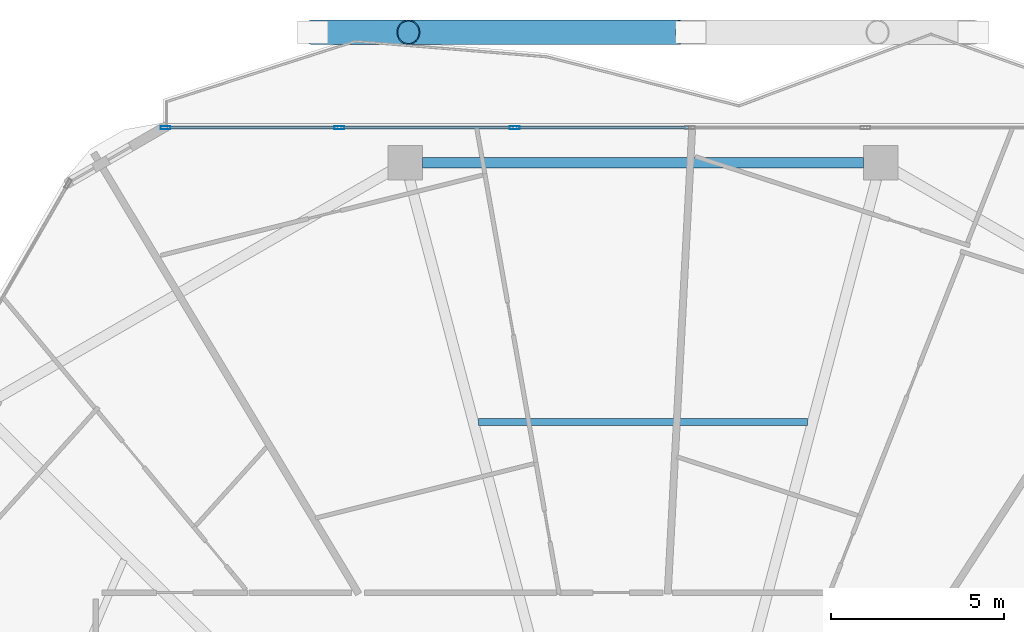
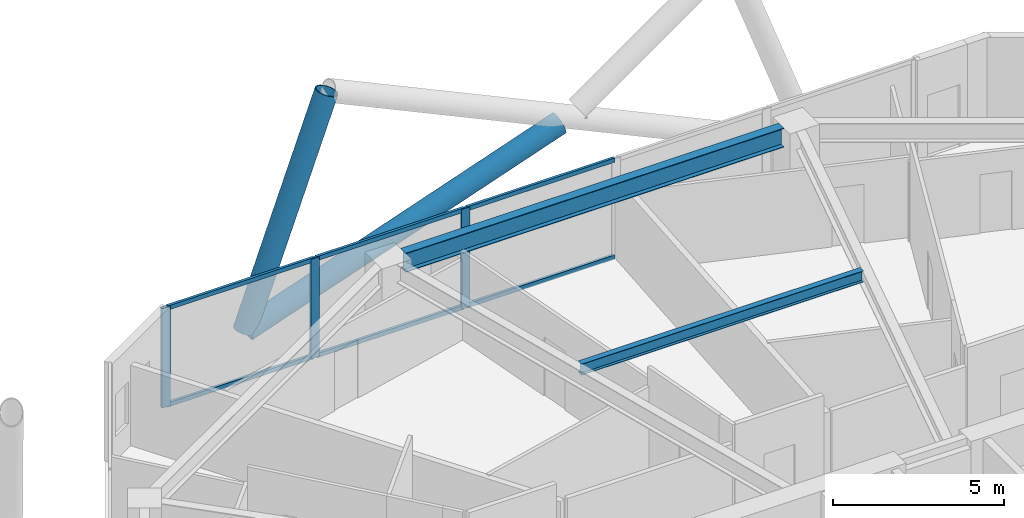
# One storey, part 14 of 29: 11 members, 2 beams, 1 element without a shape of its own.
"""IFC4 building model written with IfcOpenShell, lengths in metres."""

from ifc_helpers import new_model, si_unit, direction, frame, origin, origin_2d, place, context, subcontext, project, spatial, hollow_rectangle, hollow_circle, i_section, extrude, material, material_profile, profile_set, type_object, element, aggregate, save


model = new_model("IFC4")

# Units and contexts
model_context = context("Model", 3, precision=1e-05, world=origin(), true_north=direction((0.0, 1.0)))
body_context = subcontext(model_context, "Body", "Model", "MODEL_VIEW")
ifc_project = project(units=[si_unit("LENGTHUNIT", "METRE"), si_unit("AREAUNIT", "SQUARE_METRE"), si_unit("VOLUMEUNIT", "CUBIC_METRE"), si_unit("PLANEANGLEUNIT", "RADIAN"), si_unit("MASSUNIT", "GRAM", prefix="KILO")], contexts=[model_context])

# Site, building, storey
site_placement = place(None, origin())
site = spatial("IfcSite", under=ifc_project, at=site_placement, CompositionType="ELEMENT")
building_placement = place(site_placement, origin())
building = spatial("IfcBuilding", under=site, at=building_placement, Name="Zuhravey Tower", CompositionType="ELEMENT")
storey_placement = place(building_placement, frame((0.0, 0.0, 161.800048828125)))
storey = spatial("IfcBuildingStorey", under=building, at=storey_placement, Name="L40", CompositionType="ELEMENT", Elevation=161.800048828125)

# Curtain wall, members
ifc_material_1 = material(Name="Thermally broken anodised aluminium", Category="aluminium")
curtain_wall_type = type_object("IfcCurtainWallType", Name="Zone 1-2 Residential Curtain Wall CW3", PredefinedType="NOTDEFINED", material=ifc_material_1)
curtain_wall_placement = place(storey_placement, origin())
curtain_wall = element("IfcCurtainWall", 1, at=curtain_wall_placement, inside=storey, type_object=curtain_wall_type, Name="L40 CW3 CW-L40-F2-1", PredefinedType="NOTDEFINED")
ifc_material_2 = material(Name="Anodised aluminium", Category="aluminium")
ifc_material_profile_1 = material_profile(ifc_material_2, hollow_rectangle(XDim=0.090087890625, YDim=0.284912109375, WallThickness=0.0048828125, at=origin_2d()), Name="ALU-RHS-90x285x5")
ifc_profile_set_1 = profile_set([ifc_material_profile_1], Name="Anodised aluminium")
member_type_1 = type_object("IfcMemberType", Name="Curtain-Wall Mullion 90x180", PredefinedType="MULLION", material=ifc_profile_set_1)
member_1_placement = place(storey_placement, frame((22.183837890625, 59.18310546875, 0.0), z_axis=(0.0, 0.0, 1.0), x_axis=(0.0, 1.0, 0.0)))
member_1 = element("IfcMember", 2, at=member_1_placement, type_object=member_type_1, Name="CW3 mullion 1", PredefinedType="MULLION", context=body_context, shape_type="SweptSolid", body=[
    extrude(hollow_rectangle(XDim=0.090087890625, YDim=0.284912109375, WallThickness=0.0048828125, at=origin_2d()), origin(), (0.0, 0.0, 1.0), 3.550048828125),
])
member_2_placement = place(storey_placement, frame((27.21337890625, 59.18310546875, 0.0), z_axis=(0.0, 0.0, 1.0), x_axis=(0.0, 1.0, 0.0)))
member_2 = element("IfcMember", 3, at=member_2_placement, type_object=member_type_1, Name="CW3 mullion 2", PredefinedType="MULLION", context=body_context, shape_type="SweptSolid", body=[
    extrude(hollow_rectangle(XDim=0.090087890625, YDim=0.284912109375, WallThickness=0.0048828125, at=origin_2d()), origin(), (0.0, 0.0, 1.0), 3.550048828125),
])
member_3_placement = place(storey_placement, frame((32.287841796875, 59.18310546875, 0.0), z_axis=(0.0, 0.0, 1.0), x_axis=(0.0, 1.0, 0.0)))
member_3 = element("IfcMember", 4, at=member_3_placement, type_object=member_type_1, Name="CW3 mullion 3", PredefinedType="MULLION", context=body_context, shape_type="SweptSolid", body=[
    extrude(hollow_rectangle(XDim=0.090087890625, YDim=0.284912109375, WallThickness=0.0048828125, at=origin_2d()), origin(), (0.0, 0.0, 1.0), 3.550048828125),
])
ifc_material_profile_2 = material_profile(ifc_material_2, hollow_rectangle(XDim=0.090087890625, YDim=0.14990234375, WallThickness=0.0048828125, at=origin_2d()), Name="ALU-RHS-90x150x5")
ifc_profile_set_2 = profile_set([ifc_material_profile_2], Name="Anodised aluminium")
member_type_2 = type_object("IfcMemberType", Name="Curtain-Wall Transom 90x150", PredefinedType="USERDEFINED", material=ifc_profile_set_2)
member_4_placement = place(storey_placement, frame((22.22900390625, 59.18310546875, 0.044921875), z_axis=(1.0, 0.0, 0.0), x_axis=(0.0, 1.0, 0.0)))
member_4 = element("IfcMember", 5, at=member_4_placement, type_object=member_type_2, Name="CW3 transom 1.1", ObjectType="TRANSOM", PredefinedType="USERDEFINED", context=body_context, shape_type="SweptSolid", body=[
    extrude(hollow_rectangle(XDim=0.090087890625, YDim=0.14990234375, WallThickness=0.0048828125, at=origin_2d()), origin(), (0.0, 0.0, 1.0), 4.939453125),
])
member_5_placement = place(storey_placement, frame((22.22900390625, 59.18310546875, 3.5048828125), z_axis=(1.0, 0.0, 0.0), x_axis=(0.0, 1.0, 0.0)))
member_5 = element("IfcMember", 6, at=member_5_placement, type_object=member_type_2, Name="CW3 transom 1.2", ObjectType="TRANSOM", PredefinedType="USERDEFINED", context=body_context, shape_type="SweptSolid", body=[
    extrude(hollow_rectangle(XDim=0.090087890625, YDim=0.14990234375, WallThickness=0.0048828125, at=origin_2d()), origin(), (0.0, 0.0, 1.0), 4.939453125),
])
member_6_placement = place(storey_placement, frame((27.25830078125, 59.18310546875, 0.044921875), z_axis=(1.0, 0.0, 0.0), x_axis=(0.0, 1.0, 0.0)))
member_6 = element("IfcMember", 7, at=member_6_placement, type_object=member_type_2, Name="CW3 transom 2.1", ObjectType="TRANSOM", PredefinedType="USERDEFINED", context=body_context, shape_type="SweptSolid", body=[
    extrude(hollow_rectangle(XDim=0.090087890625, YDim=0.14990234375, WallThickness=0.0048828125, at=origin_2d()), origin(), (0.0, 0.0, 1.0), 4.984375),
])
member_7_placement = place(storey_placement, frame((27.25830078125, 59.18310546875, 3.5048828125), z_axis=(1.0, 0.0, 0.0), x_axis=(0.0, 1.0, 0.0)))
member_7 = element("IfcMember", 8, at=member_7_placement, type_object=member_type_2, Name="CW3 transom 2.2", ObjectType="TRANSOM", PredefinedType="USERDEFINED", context=body_context, shape_type="SweptSolid", body=[
    extrude(hollow_rectangle(XDim=0.090087890625, YDim=0.14990234375, WallThickness=0.0048828125, at=origin_2d()), origin(), (0.0, 0.0, 1.0), 4.984375),
])
member_8_placement = place(storey_placement, frame((32.332763671875, 59.18310546875, 0.044921875), z_axis=(1.0, 0.0, 0.0), x_axis=(0.0, 1.0, 0.0)))
member_8 = element("IfcMember", 9, at=member_8_placement, type_object=member_type_2, Name="CW3 transom 3.1", ObjectType="TRANSOM", PredefinedType="USERDEFINED", context=body_context, shape_type="SweptSolid", body=[
    extrude(hollow_rectangle(XDim=0.090087890625, YDim=0.14990234375, WallThickness=0.0048828125, at=origin_2d()), origin(), (0.0, 0.0, 1.0), 4.984375),
])
member_9_placement = place(storey_placement, frame((32.332763671875, 59.18310546875, 3.5048828125), z_axis=(1.0, 0.0, 0.0), x_axis=(0.0, 1.0, 0.0)))
member_9 = element("IfcMember", 10, at=member_9_placement, type_object=member_type_2, Name="CW3 transom 3.2", ObjectType="TRANSOM", PredefinedType="USERDEFINED", context=body_context, shape_type="SweptSolid", body=[
    extrude(hollow_rectangle(XDim=0.090087890625, YDim=0.14990234375, WallThickness=0.0048828125, at=origin_2d()), origin(), (0.0, 0.0, 1.0), 4.984375),
])
aggregate(curtain_wall, [member_1, member_2, member_3, member_4, member_5, member_6, member_7, member_8, member_9])

# Members
ifc_material_3 = material(Name="Steel SM460", Category="steel")
ifc_material_profile_3 = material_profile(ifc_material_3, hollow_circle(Radius=0.355712890625, WallThickness=0.031982421875, at=origin_2d()), Name="CHS-711.2x32")
ifc_profile_set_3 = profile_set([ifc_material_profile_3], Name="Steel SM460")
member_type_3 = type_object("IfcMemberType", Name="Exoskeleton Zone 2 Diagrid CHS711x32", PredefinedType="BRACE", material=ifc_profile_set_3)
member_10_placement = place(storey_placement, frame((26.452392578125, 61.943115234375, -0.444091796875), z_axis=(0.342858392965, 0.0, 0.939387099323), x_axis=(0.0, 1.0, 0.0)))
element("IfcMember", 11, at=member_10_placement, inside=storey, type_object=member_type_3, Name="L40 Face 2 Diagrid Brace 4", PredefinedType="BRACE", context=body_context, shape_type="SweptSolid", body=[
    extrude(hollow_circle(Radius=0.355712890625, WallThickness=0.031982421875, at=origin_2d()), origin(), (0.0, 0.0, 1.0), 8.0478515625),
])
member_11_placement = place(storey_placement, frame((26.48974609375, 61.943115234375, -0.448486328125), z_axis=(0.944653568891, 0.0, 0.328069557841), x_axis=(0.0, 1.0, 0.0)))
element("IfcMember", 12, at=member_11_placement, inside=storey, type_object=member_type_3, Name="L40 Face 2 Split Diagrid Brace 3A", PredefinedType="BRACE", context=body_context, shape_type="SweptSolid", body=[
    extrude(hollow_circle(Radius=0.355712890625, WallThickness=0.031982421875, at=origin_2d()), origin(), (0.0, 0.0, 1.0), 11.190185546875),
])

# Beams
ifc_material_4 = material(Name="Steel SM355", Category="steel")
ifc_material_profile_4 = material_profile(ifc_material_4, i_section(OverallWidth=0.300048828125, OverallDepth=0.679931640625, WebThickness=0.012939453125, FlangeThickness=0.02197265625, at=origin_2d()), Name="H-680x300x13x22")
ifc_profile_set_4 = profile_set([ifc_material_profile_4], Name="Steel SM355")
beam_type_1 = type_object("IfcBeamType", Name="Perimeter Ring Beam H680x300", PredefinedType="BEAM", material=ifc_profile_set_4)
beam_1_placement = place(storey_placement, frame((42.37890625, 58.173095703125, 3.2099609375), z_axis=(-1.0, 0.0, 0.0), x_axis=(0.0, -1.0, 0.0)))
element("IfcBeam", 13, at=beam_1_placement, inside=storey, type_object=beam_type_1, Name="L40 PB2 BM-L40-PB-03", PredefinedType="BEAM", context=body_context, shape_type="SweptSolid", body=[
    extrude(i_section(OverallWidth=0.300048828125, OverallDepth=0.679931640625, WebThickness=0.012939453125, FlangeThickness=0.02197265625, at=origin_2d()), origin(), (0.0, 0.0, 1.0), 12.7578125),
])
ifc_material_profile_5 = material_profile(ifc_material_4, i_section(OverallWidth=0.199951171875, OverallDepth=0.39990234375, WebThickness=0.008056640625, FlangeThickness=0.012939453125, at=origin_2d()), Name="H-400x200x8x13")
ifc_profile_set_5 = profile_set([ifc_material_profile_5], Name="Steel SM355")
beam_type_2 = type_object("IfcBeamType", Name="Secondary Floor Joist H400x200", PredefinedType="JOIST", material=ifc_profile_set_5)
beam_2_placement = place(storey_placement, frame((40.754150390625, 50.665771484375, 3.349853515625), z_axis=(-1.0, 0.0, 0.0), x_axis=(0.0, -1.0, 0.0)))
element("IfcBeam", 14, at=beam_2_placement, inside=storey, type_object=beam_type_2, Name="L40 SJ2 BM-L40-SJ-03-1", PredefinedType="JOIST", context=body_context, shape_type="SweptSolid", body=[
    extrude(i_section(OverallWidth=0.199951171875, OverallDepth=0.39990234375, WebThickness=0.008056640625, FlangeThickness=0.012939453125, at=origin_2d()), origin(), (0.0, 0.0, 1.0), 9.50830078125),
])

save(model, "model.ifc")
